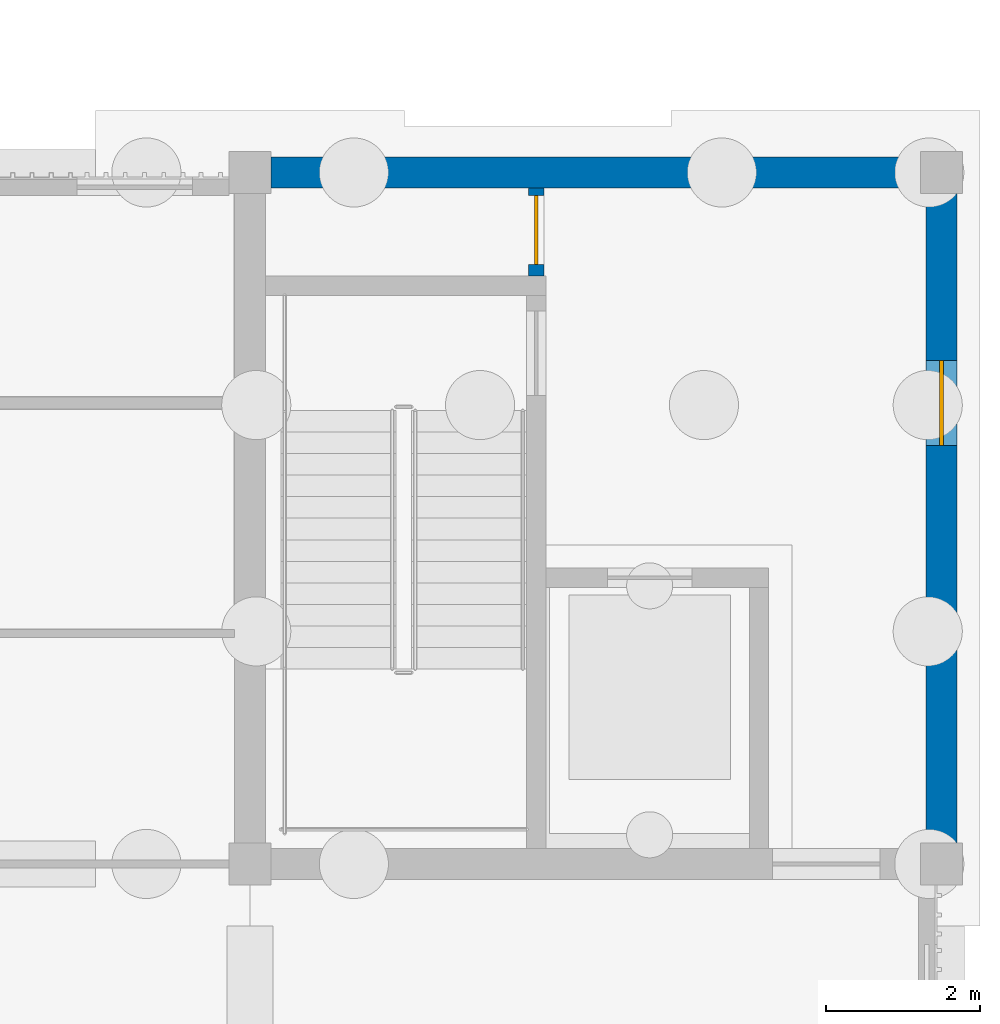
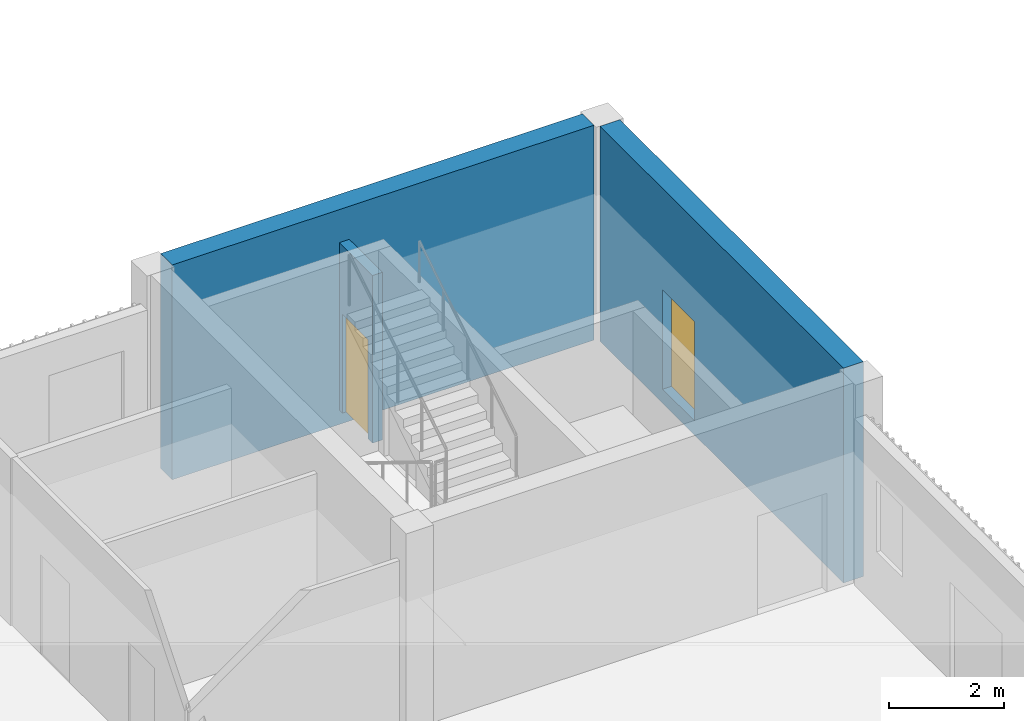
# One storey, part 80 of 106: 3 walls, 2 doors, 2 openings.
"""IFC4 building model written with IfcOpenShell, lengths in metres."""

from ifc_helpers import new_model, si_unit, direction, frame, frame_2d, origin, place, context, subcontext, project, spatial, rectangle, extrude, material, layer, layer_set, type_object, element, fill, save


model = new_model("IFC4")

# Units and contexts
model_context = context("Model", 3, precision=1e-05, world=origin(), true_north=direction((0.0, 1.0)))
body_context = subcontext(model_context, "Body", "Model", "MODEL_VIEW")
ifc_project = project(units=[si_unit("LENGTHUNIT", "METRE"), si_unit("AREAUNIT", "SQUARE_METRE"), si_unit("VOLUMEUNIT", "CUBIC_METRE"), si_unit("PLANEANGLEUNIT", "RADIAN"), si_unit("MASSUNIT", "GRAM", prefix="KILO")], contexts=[model_context])

# Site, building, storey
site_placement = place(None, origin())
site = spatial("IfcSite", under=ifc_project, at=site_placement, CompositionType="ELEMENT")
building_placement = place(site_placement, origin())
building = spatial("IfcBuilding", under=site, at=building_placement, Name="Merrow Basin Faculty of Sciences", CompositionType="ELEMENT")
storey_placement = place(building_placement, origin())
storey = spatial("IfcBuildingStorey", under=building, at=storey_placement, Name="L00", CompositionType="ELEMENT", Elevation=0.0)

# Wall, opening, door
ifc_material_1 = material(Name="Fire-rated gypsum board")
ifc_layer_1 = layer(ifc_material_1, 0.199951171875)
ifc_layer_set_1 = layer_set([ifc_layer_1], Name="Riser lining 200 fire-rated board on steel studs")
wall_type_1 = type_object("IfcWallType", Name="Riser lining 200 fire-rated board on steel studs", PredefinedType="PARTITIONING", material=ifc_layer_set_1)
wall_1_placement = place(storey_placement, frame((66.72509765625, 131.64990234375, 0.0), z_axis=(0.0, 0.0, 1.0), x_axis=(0.0, 1.0, 0.0)))
wall_1 = element("IfcWall", 1, at=wall_1_placement, inside=storey, type_object=wall_type_1, Name="IW200 L00 004", PredefinedType="PARTITIONING", context=body_context, shape_type="SweptSolid", body=[
    extrude(rectangle(XDim=1.150146484375, YDim=0.199951171875, at=frame_2d((0.5751953125, 0.0))), origin(), (0.0, 0.0, 1.0), 3.550048828125),
])
opening_1_placement = place(wall_1_placement, frame((0.14990234375, 0.0, 0.0)))
opening_1 = element("IfcOpeningElement", 2, at=opening_1_placement, cuts=wall_1, Name="Opening D00C012", PredefinedType="OPENING", context=body_context, shape_type="SweptSolid", body=[
    extrude(rectangle(XDim=0.89990234375, YDim=2.10009765625, at=frame_2d((0.449951171875, 1.050048828125))), frame((0.0, 0.10986328125, 0.0), z_axis=(0.0, -1.0, 0.0), x_axis=(1.0, 0.0, 0.0)), (0.0, 0.0, 1.0), 0.219970703125),
])
ifc_material_2 = material(Name="Fire-rated steel door", Category="steel")
door_type_1 = type_object("IfcDoorType", Name="Fire door FD60 900 x 2100", OperationType="NOTDEFINED", PredefinedType="DOOR", material=ifc_material_2)
door_1_placement = place(opening_1_placement, origin())
door_1 = element("IfcDoor", 3, at=door_1_placement, inside=storey, type_object=door_type_1, Name="Door D00C012", OperationType="SINGLE_SWING_LEFT", OverallHeight=2.10009765625, OverallWidth=0.89990234375, PredefinedType="DOOR", context=body_context, shape_type="SweptSolid", body=[
    extrude(rectangle(XDim=0.89990234375, YDim=2.10009765625, at=frame_2d((0.449951171875, 1.050048828125))), frame((0.0, 0.02490234375, 0.0), z_axis=(0.0, -1.0, 0.0), x_axis=(1.0, 0.0, 0.0)), (0.0, 0.0, 1.0), 0.050048828125),
])
fill(opening_1, door_1)

# Wall
ifc_material_3 = material(Name="Concrete C40/50", Category="concrete")
ifc_layer_2 = layer(ifc_material_3, 0.39990234375)
ifc_layer_set_2 = layer_set([ifc_layer_2], Name="Shear wall 400 Concrete C40/50")
wall_type_2 = type_object("IfcWallType", Name="Shear wall 400 Concrete C40/50", PredefinedType="SHEAR", material=ifc_layer_set_2)
wall_2_placement = place(storey_placement, frame((63.27490234375, 133.0, -0.300048828125), z_axis=(0.0, 0.0, 1.0), x_axis=(1.0, 0.0, 0.0)))
element("IfcWall", 4, at=wall_2_placement, inside=storey, type_object=wall_type_2, Name="SW1 L00 026", PredefinedType="SHEAR", context=body_context, shape_type="SweptSolid", body=[
    extrude(rectangle(XDim=8.4501953125, YDim=0.39990234375, at=frame_2d((4.22509765625, 0.0))), origin(), (0.0, 0.0, 1.0), 4.550048828125),
])

# Wall, opening, door
wall_3_placement = place(storey_placement, frame((72.0, 124.27490234375, -0.300048828125), z_axis=(0.0, 0.0, 1.0), x_axis=(0.0, 1.0, 0.0)))
wall_3 = element("IfcWall", 5, at=wall_3_placement, inside=storey, type_object=wall_type_2, Name="SW1 L00 028", PredefinedType="SHEAR", context=body_context, shape_type="SweptSolid", body=[
    extrude(rectangle(XDim=8.4501953125, YDim=0.39990234375, at=frame_2d((4.22509765625, 0.0))), origin(), (0.0, 0.0, 1.0), 4.550048828125),
])
opening_2_placement = place(wall_3_placement, frame((5.175048828125, 0.0, 0.300048828125)))
opening_2 = element("IfcOpeningElement", 6, at=opening_2_placement, cuts=wall_3, Name="Opening D00C011", PredefinedType="OPENING", context=body_context, shape_type="SweptSolid", body=[
    extrude(rectangle(XDim=1.10009765625, YDim=2.10009765625, at=frame_2d((0.550048828125, 1.050048828125))), frame((0.0, 0.2099609375, 0.0), z_axis=(0.0, -1.0, 0.0), x_axis=(1.0, 0.0, 0.0)), (0.0, 0.0, 1.0), 0.419921875),
])
ifc_material_4 = material(Name="Fire-rated steel door", Category="steel")
door_type_2 = type_object("IfcDoorType", Name="Fire door FD90 1100 x 2100", OperationType="NOTDEFINED", PredefinedType="DOOR", material=ifc_material_4)
door_2_placement = place(opening_2_placement, frame((1.10009765625, 0.0, 0.0), z_axis=(0.0, 0.0, 1.0), x_axis=(-1.0, 0.0, 0.0)))
door_2 = element("IfcDoor", 7, at=door_2_placement, inside=storey, type_object=door_type_2, Name="Core N exit door", OperationType="SINGLE_SWING_LEFT", OverallHeight=2.10009765625, OverallWidth=1.10009765625, PredefinedType="DOOR", context=body_context, shape_type="SweptSolid", body=[
    extrude(rectangle(XDim=1.10009765625, YDim=2.10009765625, at=frame_2d((0.550048828125, 1.050048828125))), frame((0.0, 0.02490234375, 0.0), z_axis=(0.0, -1.0, 0.0), x_axis=(1.0, 0.0, 0.0)), (0.0, 0.0, 1.0), 0.050048828125),
])
fill(opening_2, door_2)

save(model, "model.ifc")
